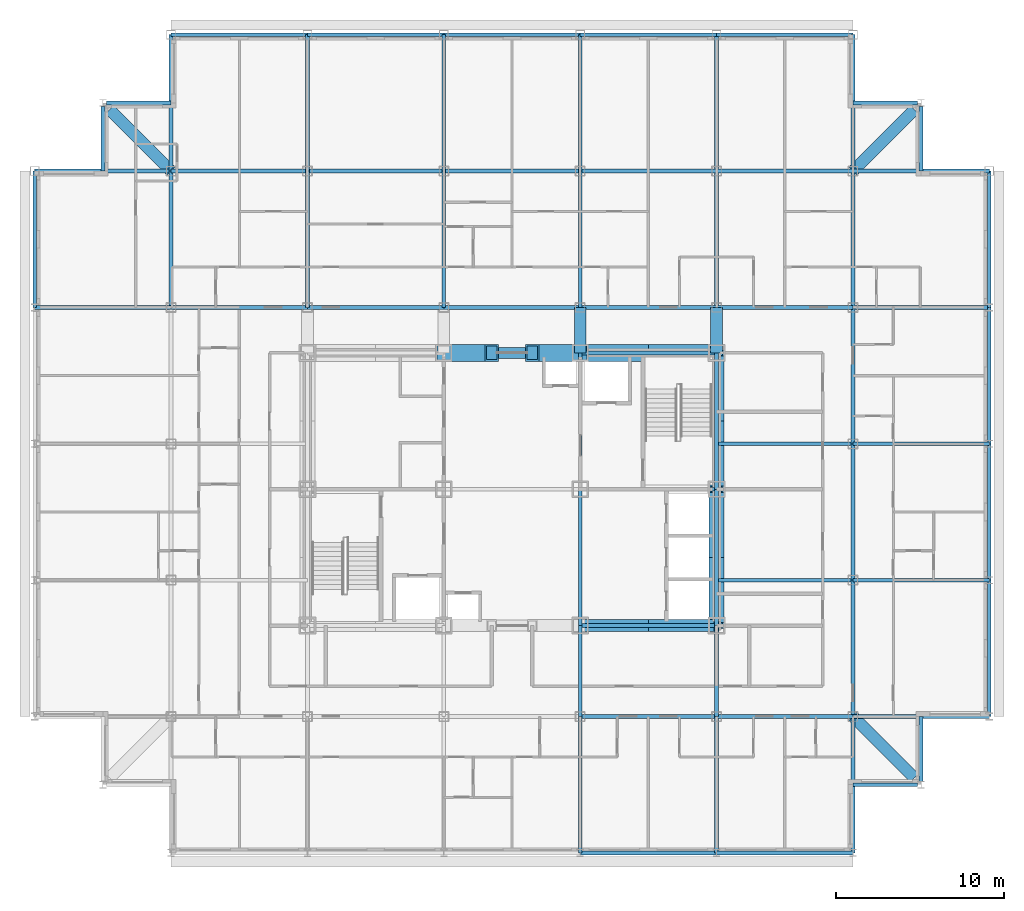
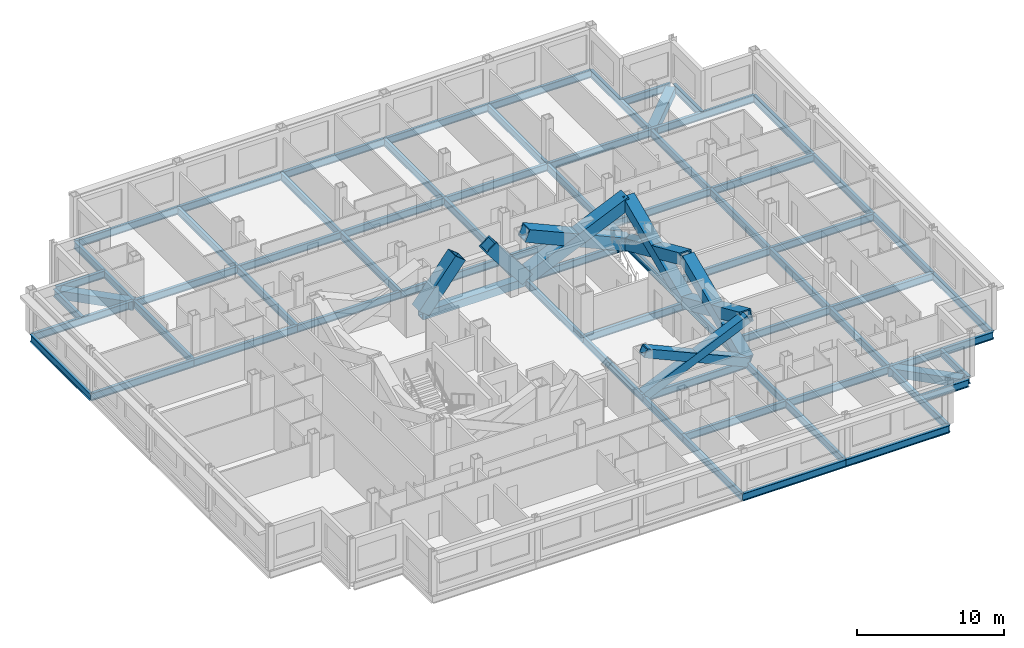
# One storey, part 2 of 12: 72 beams, 10 members.
"""IFC4 building model written with IfcOpenShell, lengths in metres."""

from ifc_helpers import new_model, si_unit, direction, frame, origin, origin_2d, place, context, subcontext, project, spatial, hollow_rectangle, i_section, extrude, material, material_profile, profile_set, type_object, element, save


model = new_model("IFC4")

# Units and contexts
model_context = context("Model", 3, precision=1e-05, world=origin(), true_north=direction((0.0, 1.0)))
body_context = subcontext(model_context, "Body", "Model", "MODEL_VIEW")
ifc_project = project(units=[si_unit("LENGTHUNIT", "METRE"), si_unit("AREAUNIT", "SQUARE_METRE"), si_unit("VOLUMEUNIT", "CUBIC_METRE"), si_unit("PLANEANGLEUNIT", "RADIAN"), si_unit("MASSUNIT", "GRAM", prefix="KILO")], contexts=[model_context])

# Site, building, storey
site_placement = place(None, origin())
site = spatial("IfcSite", under=ifc_project, at=site_placement, CompositionType="ELEMENT")
building_placement = place(site_placement, origin())
building = spatial("IfcBuilding", under=site, at=building_placement, Name="Kopane Lantern Tower", CompositionType="ELEMENT")
storey_placement = place(building_placement, frame((0.0, 0.0, 213.60009765625)))
storey = spatial("IfcBuildingStorey", under=building, at=storey_placement, Name="L55", CompositionType="ELEMENT", Elevation=213.60009765625)

# Members
ifc_material_1 = material(Name="Steel S355JR", Category="steel")
ifc_material_profile_1 = material_profile(ifc_material_1, hollow_rectangle(XDim=1.0, YDim=1.0, WallThickness=0.10009765625, at=origin_2d()), Name="BOX 1000x1000x100")
ifc_profile_set_1 = profile_set([ifc_material_profile_1], Name="Steel S355JR")
member_type_1 = type_object("IfcMemberType", Name="BRACE BOX 1000x1000x100", PredefinedType="BRACE", material=ifc_profile_set_1)
for number, where, z_axis, x_axis, name in (
    (1, (24.300048828125, 40.5, -0.210205078125), (0.620672981644, 0.0, 0.784069544018), (0.0, 1.0, 0.0), "Core brace L55"),
    (2, (32.39990234375, 40.5, -0.210205078125), (-0.620672981644, 0.0, 0.784069544018), (0.0, -1.0, 0.0), "Core brace L55"),
):
    element("IfcMember", number, at=place(storey_placement, frame(where, z_axis=z_axis, x_axis=x_axis)), inside=storey, type_object=member_type_1, Name=name, PredefinedType="BRACE", context=body_context, shape_type="SweptSolid", body=[
        extrude(hollow_rectangle(XDim=1.0, YDim=1.0, WallThickness=0.10009765625, at=origin_2d()), origin(), (0.0, 0.0, 1.0), 4.591552734375),
    ])
for number, where, z_axis, x_axis, name in (
    (3, (32.39990234375, 40.5, -0.210205078125), (0.913809277049, 0.0, 0.40614357705), (0.0, 1.0, 0.0), "Core brace L55"),
    (4, (40.5, 40.5, -0.210205078125), (-0.913809277049, 0.0, 0.40614357705), (0.0, -1.0, 0.0), "Core brace L55"),
):
    element("IfcMember", number, at=place(storey_placement, frame(where, z_axis=z_axis, x_axis=x_axis)), inside=storey, type_object=member_type_1, Name=name, PredefinedType="BRACE", context=body_context, shape_type="SweptSolid", body=[
        extrude(hollow_rectangle(XDim=1.0, YDim=1.0, WallThickness=0.10009765625, at=origin_2d()), origin(), (0.0, 0.0, 1.0), 8.864013671875),
    ])
ifc_material_2 = material(Name="Steel S355JR", Category="steel")
ifc_material_profile_2 = material_profile(ifc_material_2, hollow_rectangle(XDim=0.699951171875, YDim=0.699951171875, WallThickness=0.06005859375, at=origin_2d()), Name="BOX 700x700x60")
ifc_profile_set_2 = profile_set([ifc_material_profile_2], Name="Steel S355JR")
member_type_2 = type_object("IfcMemberType", Name="BRACE BOX 700x700x60", PredefinedType="BRACE", material=ifc_profile_set_2)
for number, where, z_axis, x_axis, name in (
    (5, (32.39990234375, 24.300048828125, -0.210205078125), (0.913809277049, 0.0, 0.40614357705), (0.0, 1.0, 0.0), "Core brace L55"),
    (6, (40.5, 24.300048828125, -0.210205078125), (-0.913809277049, 0.0, 0.40614357705), (0.0, -1.0, 0.0), "Core brace L55"),
):
    element("IfcMember", number, at=place(storey_placement, frame(where, z_axis=z_axis, x_axis=x_axis)), inside=storey, type_object=member_type_2, Name=name, PredefinedType="BRACE", context=body_context, shape_type="SweptSolid", body=[
        extrude(hollow_rectangle(XDim=0.699951171875, YDim=0.699951171875, WallThickness=0.06005859375, at=origin_2d()), origin(), (0.0, 0.0, 1.0), 8.864013671875),
    ])
ifc_material_3 = material(Name="Steel S355JR", Category="steel")
ifc_material_profile_3 = material_profile(ifc_material_3, hollow_rectangle(XDim=0.89990234375, YDim=0.89990234375, WallThickness=0.090087890625, at=origin_2d()), Name="BOX 900x900x90")
ifc_profile_set_3 = profile_set([ifc_material_profile_3], Name="Steel S355JR")
member_type_3 = type_object("IfcMemberType", Name="BRACE BOX 900x900x90", PredefinedType="BRACE", material=ifc_profile_set_3)
for number, where, z_axis, x_axis, name in (
    (7, (40.5, 24.300048828125, -0.210205078125), (0.0, 0.91380473365, 0.406153799391), (-1.0, 0.0, 0.0), "Core brace L55"),
    (8, (40.5, 32.39990234375, -0.210205078125), (0.0, -0.91380473365, 0.406153799391), (1.0, 0.0, 0.0), "Core brace L55"),
):
    element("IfcMember", number, at=place(storey_placement, frame(where, z_axis=z_axis, x_axis=x_axis)), inside=storey, type_object=member_type_3, Name=name, PredefinedType="BRACE", context=body_context, shape_type="SweptSolid", body=[
        extrude(hollow_rectangle(XDim=0.89990234375, YDim=0.89990234375, WallThickness=0.090087890625, at=origin_2d()), origin(), (0.0, 0.0, 1.0), 8.86376953125),
    ])
for number, where, z_axis, x_axis, name in (
    (9, (40.5, 32.39990234375, -0.210205078125), (0.0, 0.913809277049, 0.40614357705), (-1.0, 0.0, 0.0), "Core brace L55"),
    (10, (40.5, 40.5, -0.210205078125), (0.0, -0.913809277049, 0.40614357705), (1.0, 0.0, 0.0), "Core brace L55"),
):
    element("IfcMember", number, at=place(storey_placement, frame(where, z_axis=z_axis, x_axis=x_axis)), inside=storey, type_object=member_type_3, Name=name, PredefinedType="BRACE", context=body_context, shape_type="SweptSolid", body=[
        extrude(hollow_rectangle(XDim=0.89990234375, YDim=0.89990234375, WallThickness=0.090087890625, at=origin_2d()), origin(), (0.0, 0.0, 1.0), 8.864013671875),
    ])

# Beams
ifc_material_4 = material(Name="Steel S355JR", Category="steel")
ifc_material_profile_4 = material_profile(ifc_material_4, i_section(OverallWidth=0.22900390625, OverallDepth=0.6123046875, WebThickness=0.011962890625, FlangeThickness=0.01953125, FilletRadius=0.0126953125, at=origin_2d()), Name="UB 610x229x125")
ifc_profile_set_4 = profile_set([ifc_material_profile_4], Name="Steel S355JR")
beam_type_1 = type_object("IfcBeamType", Name="CORE BEAM UB 610x229x125", PredefinedType="BEAM", material=ifc_profile_set_4)
beam_1_placement = place(storey_placement, frame((32.39990234375, 24.300048828125, -0.51611328125), z_axis=(0.0, 1.0, 0.0), x_axis=(-1.0, 0.0, 0.0)))
element("IfcBeam", 11, at=beam_1_placement, inside=storey, type_object=beam_type_1, Name="Core Beam L55", PredefinedType="BEAM", context=body_context, shape_type="SweptSolid", body=[
    extrude(i_section(OverallWidth=0.22900390625, OverallDepth=0.6123046875, WebThickness=0.011962890625, FlangeThickness=0.01953125, FilletRadius=0.0126953125, at=origin_2d()), origin(), (0.0, 0.0, 1.0), 8.099853515625),
])
for number, where, z_axis, x_axis, name in (
    (12, (32.39990234375, 32.39990234375, -0.51611328125), (0.0, 1.0, 0.0), (-1.0, 0.0, 0.0), "Core Beam L55"),
    (13, (32.39990234375, 32.39990234375, -0.51611328125), (1.0, 0.0, 0.0), (0.0, 1.0, 0.0), "Core Beam L55"),
):
    element("IfcBeam", number, at=place(storey_placement, frame(where, z_axis=z_axis, x_axis=x_axis)), inside=storey, type_object=beam_type_1, Name=name, PredefinedType="BEAM", context=body_context, shape_type="SweptSolid", body=[
        extrude(i_section(OverallWidth=0.22900390625, OverallDepth=0.6123046875, WebThickness=0.011962890625, FlangeThickness=0.01953125, FilletRadius=0.0126953125, at=origin_2d()), origin(), (0.0, 0.0, 1.0), 8.10009765625),
    ])
ifc_material_5 = material(Name="Steel S355JR", Category="steel")
ifc_material_profile_5 = material_profile(ifc_material_5, hollow_rectangle(XDim=0.699951171875, YDim=0.699951171875, WallThickness=0.06005859375, at=origin_2d()), Name="BOX 700x700x60")
ifc_profile_set_5 = profile_set([ifc_material_profile_5], Name="Steel S355JR")
beam_type_2 = type_object("IfcBeamType", Name="CORNER TIE BEAM BOX 700x700x60", PredefinedType="BEAM", material=ifc_profile_set_5)
for number, where, z_axis, x_axis, name in (
    (14, (4.447509765625, 54.952392578125, -0.56005859375), (0.70713041325, -0.707083148333, 0.0), (0.707083148333, 0.70713041325, 0.0), "Corner Tie Beam L55"),
    (15, (52.25244140625, 15.24755859375, -0.56005859375), (-0.707106781187, 0.707106781187, 0.0), (-0.707106781187, -0.707106781187, 0.0), "Corner Tie Beam L55"),
    (16, (52.25244140625, 54.952392578125, -0.56005859375), (-0.707106781187, -0.707106781187, 0.0), (0.707106781187, -0.707106781187, 0.0), "Corner Tie Beam L55"),
):
    element("IfcBeam", number, at=place(storey_placement, frame(where, z_axis=z_axis, x_axis=x_axis)), inside=storey, type_object=beam_type_2, Name=name, PredefinedType="BEAM", context=body_context, shape_type="SweptSolid", body=[
        extrude(hollow_rectangle(XDim=0.699951171875, YDim=0.699951171875, WallThickness=0.06005859375, at=origin_2d()), origin(), (0.0, 0.0, 1.0), 5.165283203125),
    ])
ifc_material_6 = material(Name="Steel S355JR", Category="steel")
ifc_material_profile_6 = material_profile(ifc_material_6, i_section(OverallWidth=0.22900390625, OverallDepth=0.6123046875, WebThickness=0.011962890625, FlangeThickness=0.01953125, FilletRadius=0.0126953125, at=origin_2d()), Name="UB 610x229x125")
ifc_profile_set_6 = profile_set([ifc_material_profile_6], Name="Steel S355JR")
beam_type_3 = type_object("IfcBeamType", Name="EDGE BEAM UB 610x229x125", PredefinedType="BEAM", material=ifc_profile_set_6)
beam_2_placement = place(storey_placement, frame((4.050048828125, 55.146484375, -0.51611328125), z_axis=(0.0, -1.0, 0.0), x_axis=(1.0, 0.0, 0.0)))
element("IfcBeam", 17, at=beam_2_placement, inside=storey, type_object=beam_type_3, Name="Edge Beam L55", PredefinedType="BEAM", context=body_context, shape_type="SweptSolid", body=[
    extrude(i_section(OverallWidth=0.22900390625, OverallDepth=0.6123046875, WebThickness=0.011962890625, FlangeThickness=0.01953125, FilletRadius=0.0126953125, at=origin_2d()), origin(), (0.0, 0.0, 1.0), 3.846435546875),
])
beam_3_placement = place(storey_placement, frame((4.25341796875, 55.35009765625, -0.51611328125), z_axis=(1.0, 0.0, 0.0), x_axis=(0.0, 1.0, 0.0)))
element("IfcBeam", 18, at=beam_3_placement, inside=storey, type_object=beam_type_3, Name="Edge Beam L55", PredefinedType="BEAM", context=body_context, shape_type="SweptSolid", body=[
    extrude(i_section(OverallWidth=0.22900390625, OverallDepth=0.6123046875, WebThickness=0.011962890625, FlangeThickness=0.01953125, FilletRadius=0.0126953125, at=origin_2d()), origin(), (0.0, 0.0, 1.0), 3.8466796875),
])
for number, where, z_axis, x_axis, name in (
    (19, (52.446533203125, 14.85009765625, -0.51611328125), (-1.0, 0.0, 0.0), (0.0, -1.0, 0.0), "Edge Beam L55"),
    (20, (52.446533203125, 55.35009765625, -0.51611328125), (-1.0, 0.0, 0.0), (0.0, -1.0, 0.0), "Edge Beam L55"),
    (21, (52.64990234375, 15.053466796875, -0.51611328125), (0.0, 1.0, 0.0), (-1.0, 0.0, 0.0), "Edge Beam L55"),
    (22, (52.64990234375, 55.146484375, -0.51611328125), (0.0, -1.0, 0.0), (1.0, 0.0, 0.0), "Edge Beam L55"),
):
    element("IfcBeam", number, at=place(storey_placement, frame(where, z_axis=z_axis, x_axis=x_axis)), inside=storey, type_object=beam_type_3, Name=name, PredefinedType="BEAM", context=body_context, shape_type="SweptSolid", body=[
        extrude(i_section(OverallWidth=0.22900390625, OverallDepth=0.6123046875, WebThickness=0.011962890625, FlangeThickness=0.01953125, FilletRadius=0.0126953125, at=origin_2d()), origin(), (0.0, 0.0, 1.0), 3.846435546875),
    ])
ifc_material_7 = material(Name="Steel S355JR", Category="steel")
ifc_material_profile_7 = material_profile(ifc_material_7, hollow_rectangle(XDim=0.699951171875, YDim=0.699951171875, WallThickness=0.06005859375, at=origin_2d()), Name="BOX 700x700x60")
ifc_profile_set_7 = profile_set([ifc_material_profile_7], Name="Steel S355JR")
beam_type_4 = type_object("IfcBeamType", Name="GIRDER BOX 700x700x60", PredefinedType="BEAM", material=ifc_profile_set_7)
for number, where, z_axis, x_axis, name in (
    (23, (32.39990234375, 40.5, -0.56005859375), (0.0, 1.0, 0.0), (-1.0, 0.0, 0.0), "Girder L55"),
    (24, (40.5, 40.5, -0.56005859375), (0.0, 1.0, 0.0), (-1.0, 0.0, 0.0), "Girder L55"),
):
    element("IfcBeam", number, at=place(storey_placement, frame(where, z_axis=z_axis, x_axis=x_axis)), inside=storey, type_object=beam_type_4, Name=name, PredefinedType="BEAM", context=body_context, shape_type="SweptSolid", body=[
        extrude(hollow_rectangle(XDim=0.699951171875, YDim=0.699951171875, WallThickness=0.06005859375, at=origin_2d()), origin(), (0.0, 0.0, 1.0), 2.699951171875),
    ])
ifc_material_8 = material(Name="Steel S355JR", Category="steel")
ifc_material_profile_8 = material_profile(ifc_material_8, i_section(OverallWidth=0.22900390625, OverallDepth=0.6123046875, WebThickness=0.011962890625, FlangeThickness=0.01953125, FilletRadius=0.0126953125, at=origin_2d()), Name="UB 610x229x125")
ifc_profile_set_8 = profile_set([ifc_material_profile_8], Name="Steel S355JR")
beam_type_5 = type_object("IfcBeamType", Name="GIRDER UB 610x229x125", PredefinedType="BEAM", material=ifc_profile_set_8)
for number, where, z_axis, x_axis, name in (
    (25, (0.0, 43.199951171875, -0.51611328125), (0.0, 1.0, 0.0), (-1.0, 0.0, 0.0), "Girder L55"),
    (26, (0.0, 43.199951171875, -0.51611328125), (1.0, 0.0, 0.0), (0.0, 1.0, 0.0), "Girder L55"),
    (27, (0.0, 51.300048828125, -0.51611328125), (1.0, 0.0, 0.0), (0.0, 1.0, 0.0), "Girder L55"),
    (28, (8.10009765625, 43.199951171875, -0.51611328125), (0.0, 1.0, 0.0), (-1.0, 0.0, 0.0), "Girder L55"),
):
    element("IfcBeam", number, at=place(storey_placement, frame(where, z_axis=z_axis, x_axis=x_axis)), inside=storey, type_object=beam_type_5, Name=name, PredefinedType="BEAM", context=body_context, shape_type="SweptSolid", body=[
        extrude(i_section(OverallWidth=0.22900390625, OverallDepth=0.6123046875, WebThickness=0.011962890625, FlangeThickness=0.01953125, FilletRadius=0.0126953125, at=origin_2d()), origin(), (0.0, 0.0, 1.0), 8.10009765625),
    ])
for number, where, z_axis, x_axis, name in (
    (29, (8.10009765625, 43.199951171875, -0.51611328125), (1.0, 0.0, 0.0), (0.0, 1.0, 0.0), "Girder L55"),
    (30, (8.10009765625, 51.300048828125, -0.51611328125), (0.0, 1.0, 0.0), (-1.0, 0.0, 0.0), "Girder L55"),
    (31, (8.10009765625, 51.300048828125, -0.51611328125), (1.0, 0.0, 0.0), (0.0, 1.0, 0.0), "Girder L55"),
    (32, (8.10009765625, 59.39990234375, -0.51611328125), (1.0, 0.0, 0.0), (0.0, 1.0, 0.0), "Girder L55"),
):
    element("IfcBeam", number, at=place(storey_placement, frame(where, z_axis=z_axis, x_axis=x_axis)), inside=storey, type_object=beam_type_5, Name=name, PredefinedType="BEAM", context=body_context, shape_type="SweptSolid", body=[
        extrude(i_section(OverallWidth=0.22900390625, OverallDepth=0.6123046875, WebThickness=0.011962890625, FlangeThickness=0.01953125, FilletRadius=0.0126953125, at=origin_2d()), origin(), (0.0, 0.0, 1.0), 8.099853515625),
    ])
for number, where, z_axis, x_axis, name in (
    (33, (16.199951171875, 43.199951171875, -0.51611328125), (0.0, 1.0, 0.0), (-1.0, 0.0, 0.0), "Girder L55"),
    (34, (16.199951171875, 43.199951171875, -0.51611328125), (1.0, 0.0, 0.0), (0.0, 1.0, 0.0), "Girder L55"),
):
    element("IfcBeam", number, at=place(storey_placement, frame(where, z_axis=z_axis, x_axis=x_axis)), inside=storey, type_object=beam_type_5, Name=name, PredefinedType="BEAM", context=body_context, shape_type="SweptSolid", body=[
        extrude(i_section(OverallWidth=0.22900390625, OverallDepth=0.6123046875, WebThickness=0.011962890625, FlangeThickness=0.01953125, FilletRadius=0.0126953125, at=origin_2d()), origin(), (0.0, 0.0, 1.0), 8.10009765625),
    ])
beam_4_placement = place(storey_placement, frame((16.199951171875, 51.300048828125, -0.51611328125), z_axis=(0.0, 1.0, 0.0), x_axis=(-1.0, 0.0, 0.0)))
element("IfcBeam", 35, at=beam_4_placement, inside=storey, type_object=beam_type_5, Name="Girder L55", PredefinedType="BEAM", context=body_context, shape_type="SweptSolid", body=[
    extrude(i_section(OverallWidth=0.22900390625, OverallDepth=0.6123046875, WebThickness=0.011962890625, FlangeThickness=0.01953125, FilletRadius=0.0126953125, at=origin_2d()), origin(), (0.0, 0.0, 1.0), 8.099853515625),
])
for number, where, z_axis, x_axis, name in (
    (36, (16.199951171875, 51.300048828125, -0.51611328125), (1.0, 0.0, 0.0), (0.0, 1.0, 0.0), "Girder L55"),
    (37, (16.199951171875, 59.39990234375, -0.51611328125), (1.0, 0.0, 0.0), (0.0, 1.0, 0.0), "Girder L55"),
    (38, (24.300048828125, 43.199951171875, -0.51611328125), (0.0, 1.0, 0.0), (-1.0, 0.0, 0.0), "Girder L55"),
):
    element("IfcBeam", number, at=place(storey_placement, frame(where, z_axis=z_axis, x_axis=x_axis)), inside=storey, type_object=beam_type_5, Name=name, PredefinedType="BEAM", context=body_context, shape_type="SweptSolid", body=[
        extrude(i_section(OverallWidth=0.22900390625, OverallDepth=0.6123046875, WebThickness=0.011962890625, FlangeThickness=0.01953125, FilletRadius=0.0126953125, at=origin_2d()), origin(), (0.0, 0.0, 1.0), 8.10009765625),
    ])
for number, where, z_axis, x_axis, name in (
    (39, (24.300048828125, 43.199951171875, -0.51611328125), (1.0, 0.0, 0.0), (0.0, 1.0, 0.0), "Girder L55"),
    (40, (24.300048828125, 51.300048828125, -0.51611328125), (0.0, 1.0, 0.0), (-1.0, 0.0, 0.0), "Girder L55"),
    (41, (24.300048828125, 51.300048828125, -0.51611328125), (1.0, 0.0, 0.0), (0.0, 1.0, 0.0), "Girder L55"),
    (42, (24.300048828125, 59.39990234375, -0.51611328125), (1.0, 0.0, 0.0), (0.0, 1.0, 0.0), "Girder L55"),
    (43, (32.39990234375, 10.800048828125, -0.51611328125), (0.0, 1.0, 0.0), (-1.0, 0.0, 0.0), "Girder L55"),
):
    element("IfcBeam", number, at=place(storey_placement, frame(where, z_axis=z_axis, x_axis=x_axis)), inside=storey, type_object=beam_type_5, Name=name, PredefinedType="BEAM", context=body_context, shape_type="SweptSolid", body=[
        extrude(i_section(OverallWidth=0.22900390625, OverallDepth=0.6123046875, WebThickness=0.011962890625, FlangeThickness=0.01953125, FilletRadius=0.0126953125, at=origin_2d()), origin(), (0.0, 0.0, 1.0), 8.099853515625),
    ])
beam_5_placement = place(storey_placement, frame((32.39990234375, 10.800048828125, -0.51611328125), z_axis=(1.0, 0.0, 0.0), x_axis=(0.0, 1.0, 0.0)))
element("IfcBeam", 44, at=beam_5_placement, inside=storey, type_object=beam_type_5, Name="Girder L55", PredefinedType="BEAM", context=body_context, shape_type="SweptSolid", body=[
    extrude(i_section(OverallWidth=0.22900390625, OverallDepth=0.6123046875, WebThickness=0.011962890625, FlangeThickness=0.01953125, FilletRadius=0.0126953125, at=origin_2d()), origin(), (0.0, 0.0, 1.0), 8.10009765625),
])
beam_6_placement = place(storey_placement, frame((32.39990234375, 18.89990234375, -0.51611328125), z_axis=(0.0, 1.0, 0.0), x_axis=(-1.0, 0.0, 0.0)))
element("IfcBeam", 45, at=beam_6_placement, inside=storey, type_object=beam_type_5, Name="Girder L55", PredefinedType="BEAM", context=body_context, shape_type="SweptSolid", body=[
    extrude(i_section(OverallWidth=0.22900390625, OverallDepth=0.6123046875, WebThickness=0.011962890625, FlangeThickness=0.01953125, FilletRadius=0.0126953125, at=origin_2d()), origin(), (0.0, 0.0, 1.0), 5.400146484375),
])
for number, where, z_axis, x_axis, name in (
    (46, (32.39990234375, 18.89990234375, -0.51611328125), (1.0, 0.0, 0.0), (0.0, 1.0, 0.0), "Girder L55"),
    (47, (32.39990234375, 24.300048828125, -0.51611328125), (1.0, 0.0, 0.0), (0.0, 1.0, 0.0), "Girder L55"),
    (48, (32.39990234375, 40.5, -0.51611328125), (1.0, 0.0, 0.0), (0.0, 1.0, 0.0), "Girder L55"),
    (49, (32.39990234375, 43.199951171875, -0.51611328125), (0.0, 1.0, 0.0), (-1.0, 0.0, 0.0), "Girder L55"),
    (50, (32.39990234375, 43.199951171875, -0.51611328125), (1.0, 0.0, 0.0), (0.0, 1.0, 0.0), "Girder L55"),
):
    element("IfcBeam", number, at=place(storey_placement, frame(where, z_axis=z_axis, x_axis=x_axis)), inside=storey, type_object=beam_type_5, Name=name, PredefinedType="BEAM", context=body_context, shape_type="SweptSolid", body=[
        extrude(i_section(OverallWidth=0.22900390625, OverallDepth=0.6123046875, WebThickness=0.011962890625, FlangeThickness=0.01953125, FilletRadius=0.0126953125, at=origin_2d()), origin(), (0.0, 0.0, 1.0), 8.10009765625),
    ])
beam_7_placement = place(storey_placement, frame((32.39990234375, 51.300048828125, -0.51611328125), z_axis=(0.0, 1.0, 0.0), x_axis=(-1.0, 0.0, 0.0)))
element("IfcBeam", 51, at=beam_7_placement, inside=storey, type_object=beam_type_5, Name="Girder L55", PredefinedType="BEAM", context=body_context, shape_type="SweptSolid", body=[
    extrude(i_section(OverallWidth=0.22900390625, OverallDepth=0.6123046875, WebThickness=0.011962890625, FlangeThickness=0.01953125, FilletRadius=0.0126953125, at=origin_2d()), origin(), (0.0, 0.0, 1.0), 8.099853515625),
])
for number, where, z_axis, x_axis, name in (
    (52, (32.39990234375, 51.300048828125, -0.51611328125), (1.0, 0.0, 0.0), (0.0, 1.0, 0.0), "Girder L55"),
    (53, (32.39990234375, 59.39990234375, -0.51611328125), (1.0, 0.0, 0.0), (0.0, 1.0, 0.0), "Girder L55"),
):
    element("IfcBeam", number, at=place(storey_placement, frame(where, z_axis=z_axis, x_axis=x_axis)), inside=storey, type_object=beam_type_5, Name=name, PredefinedType="BEAM", context=body_context, shape_type="SweptSolid", body=[
        extrude(i_section(OverallWidth=0.22900390625, OverallDepth=0.6123046875, WebThickness=0.011962890625, FlangeThickness=0.01953125, FilletRadius=0.0126953125, at=origin_2d()), origin(), (0.0, 0.0, 1.0), 8.10009765625),
    ])
beam_8_placement = place(storey_placement, frame((40.5, 10.800048828125, -0.51611328125), z_axis=(0.0, 1.0, 0.0), x_axis=(-1.0, 0.0, 0.0)))
element("IfcBeam", 54, at=beam_8_placement, inside=storey, type_object=beam_type_5, Name="Girder L55", PredefinedType="BEAM", context=body_context, shape_type="SweptSolid", body=[
    extrude(i_section(OverallWidth=0.22900390625, OverallDepth=0.6123046875, WebThickness=0.011962890625, FlangeThickness=0.01953125, FilletRadius=0.0126953125, at=origin_2d()), origin(), (0.0, 0.0, 1.0), 8.099853515625),
])
beam_9_placement = place(storey_placement, frame((40.5, 10.800048828125, -0.51611328125), z_axis=(1.0, 0.0, 0.0), x_axis=(0.0, 1.0, 0.0)))
element("IfcBeam", 55, at=beam_9_placement, inside=storey, type_object=beam_type_5, Name="Girder L55", PredefinedType="BEAM", context=body_context, shape_type="SweptSolid", body=[
    extrude(i_section(OverallWidth=0.22900390625, OverallDepth=0.6123046875, WebThickness=0.011962890625, FlangeThickness=0.01953125, FilletRadius=0.0126953125, at=origin_2d()), origin(), (0.0, 0.0, 1.0), 8.10009765625),
])
beam_10_placement = place(storey_placement, frame((40.5, 18.89990234375, -0.51611328125), z_axis=(0.0, 1.0, 0.0), x_axis=(-1.0, 0.0, 0.0)))
element("IfcBeam", 56, at=beam_10_placement, inside=storey, type_object=beam_type_5, Name="Girder L55", PredefinedType="BEAM", context=body_context, shape_type="SweptSolid", body=[
    extrude(i_section(OverallWidth=0.22900390625, OverallDepth=0.6123046875, WebThickness=0.011962890625, FlangeThickness=0.01953125, FilletRadius=0.0126953125, at=origin_2d()), origin(), (0.0, 0.0, 1.0), 5.400146484375),
])
beam_11_placement = place(storey_placement, frame((40.5, 18.89990234375, -0.51611328125), z_axis=(1.0, 0.0, 0.0), x_axis=(0.0, 1.0, 0.0)))
element("IfcBeam", 57, at=beam_11_placement, inside=storey, type_object=beam_type_5, Name="Girder L55", PredefinedType="BEAM", context=body_context, shape_type="SweptSolid", body=[
    extrude(i_section(OverallWidth=0.22900390625, OverallDepth=0.6123046875, WebThickness=0.011962890625, FlangeThickness=0.01953125, FilletRadius=0.0126953125, at=origin_2d()), origin(), (0.0, 0.0, 1.0), 8.10009765625),
])
beam_12_placement = place(storey_placement, frame((40.5, 24.300048828125, -0.51611328125), z_axis=(0.0, 1.0, 0.0), x_axis=(-1.0, 0.0, 0.0)))
element("IfcBeam", 58, at=beam_12_placement, inside=storey, type_object=beam_type_5, Name="Girder L55", PredefinedType="BEAM", context=body_context, shape_type="SweptSolid", body=[
    extrude(i_section(OverallWidth=0.22900390625, OverallDepth=0.6123046875, WebThickness=0.011962890625, FlangeThickness=0.01953125, FilletRadius=0.0126953125, at=origin_2d()), origin(), (0.0, 0.0, 1.0), 8.099853515625),
])
for number, where, z_axis, x_axis, name in (
    (59, (40.5, 27.0, -0.51611328125), (1.0, 0.0, 0.0), (0.0, 1.0, 0.0), "Girder L55"),
    (60, (40.5, 32.39990234375, -0.51611328125), (0.0, 1.0, 0.0), (-1.0, 0.0, 0.0), "Girder L55"),
    (61, (40.5, 35.10009765625, -0.51611328125), (1.0, 0.0, 0.0), (0.0, 1.0, 0.0), "Girder L55"),
    (62, (40.5, 43.199951171875, -0.51611328125), (0.0, 1.0, 0.0), (-1.0, 0.0, 0.0), "Girder L55"),
    (63, (40.5, 43.199951171875, -0.51611328125), (1.0, 0.0, 0.0), (0.0, 1.0, 0.0), "Girder L55"),
):
    element("IfcBeam", number, at=place(storey_placement, frame(where, z_axis=z_axis, x_axis=x_axis)), inside=storey, type_object=beam_type_5, Name=name, PredefinedType="BEAM", context=body_context, shape_type="SweptSolid", body=[
        extrude(i_section(OverallWidth=0.22900390625, OverallDepth=0.6123046875, WebThickness=0.011962890625, FlangeThickness=0.01953125, FilletRadius=0.0126953125, at=origin_2d()), origin(), (0.0, 0.0, 1.0), 8.10009765625),
    ])
beam_13_placement = place(storey_placement, frame((40.5, 51.300048828125, -0.51611328125), z_axis=(0.0, 1.0, 0.0), x_axis=(-1.0, 0.0, 0.0)))
element("IfcBeam", 64, at=beam_13_placement, inside=storey, type_object=beam_type_5, Name="Girder L55", PredefinedType="BEAM", context=body_context, shape_type="SweptSolid", body=[
    extrude(i_section(OverallWidth=0.22900390625, OverallDepth=0.6123046875, WebThickness=0.011962890625, FlangeThickness=0.01953125, FilletRadius=0.0126953125, at=origin_2d()), origin(), (0.0, 0.0, 1.0), 8.099853515625),
])
for number, where, z_axis, x_axis, name in (
    (65, (40.5, 51.300048828125, -0.51611328125), (1.0, 0.0, 0.0), (0.0, 1.0, 0.0), "Girder L55"),
    (66, (40.5, 59.39990234375, -0.51611328125), (1.0, 0.0, 0.0), (0.0, 1.0, 0.0), "Girder L55"),
):
    element("IfcBeam", number, at=place(storey_placement, frame(where, z_axis=z_axis, x_axis=x_axis)), inside=storey, type_object=beam_type_5, Name=name, PredefinedType="BEAM", context=body_context, shape_type="SweptSolid", body=[
        extrude(i_section(OverallWidth=0.22900390625, OverallDepth=0.6123046875, WebThickness=0.011962890625, FlangeThickness=0.01953125, FilletRadius=0.0126953125, at=origin_2d()), origin(), (0.0, 0.0, 1.0), 8.10009765625),
    ])
beam_14_placement = place(storey_placement, frame((48.60009765625, 10.800048828125, -0.51611328125), z_axis=(0.0, 1.0, 0.0), x_axis=(-1.0, 0.0, 0.0)))
element("IfcBeam", 67, at=beam_14_placement, inside=storey, type_object=beam_type_5, Name="Girder L55", PredefinedType="BEAM", context=body_context, shape_type="SweptSolid", body=[
    extrude(i_section(OverallWidth=0.22900390625, OverallDepth=0.6123046875, WebThickness=0.011962890625, FlangeThickness=0.01953125, FilletRadius=0.0126953125, at=origin_2d()), origin(), (0.0, 0.0, 1.0), 8.099853515625),
])
beam_15_placement = place(storey_placement, frame((48.60009765625, 18.89990234375, -0.51611328125), z_axis=(0.0, 1.0, 0.0), x_axis=(-1.0, 0.0, 0.0)))
element("IfcBeam", 68, at=beam_15_placement, inside=storey, type_object=beam_type_5, Name="Girder L55", PredefinedType="BEAM", context=body_context, shape_type="SweptSolid", body=[
    extrude(i_section(OverallWidth=0.22900390625, OverallDepth=0.6123046875, WebThickness=0.011962890625, FlangeThickness=0.01953125, FilletRadius=0.0126953125, at=origin_2d()), origin(), (0.0, 0.0, 1.0), 8.10009765625),
])
beam_16_placement = place(storey_placement, frame((48.60009765625, 18.89990234375, -0.51611328125), z_axis=(1.0, 0.0, 0.0), x_axis=(0.0, 1.0, 0.0)))
element("IfcBeam", 69, at=beam_16_placement, inside=storey, type_object=beam_type_5, Name="Girder L55", PredefinedType="BEAM", context=body_context, shape_type="SweptSolid", body=[
    extrude(i_section(OverallWidth=0.22900390625, OverallDepth=0.6123046875, WebThickness=0.011962890625, FlangeThickness=0.01953125, FilletRadius=0.0126953125, at=origin_2d()), origin(), (0.0, 0.0, 1.0), 8.099853515625),
])
beam_17_placement = place(storey_placement, frame((48.60009765625, 27.0, -0.51611328125), z_axis=(0.0, 1.0, 0.0), x_axis=(-1.0, 0.0, 0.0)))
element("IfcBeam", 70, at=beam_17_placement, inside=storey, type_object=beam_type_5, Name="Girder L55", PredefinedType="BEAM", context=body_context, shape_type="SweptSolid", body=[
    extrude(i_section(OverallWidth=0.22900390625, OverallDepth=0.6123046875, WebThickness=0.011962890625, FlangeThickness=0.01953125, FilletRadius=0.0126953125, at=origin_2d()), origin(), (0.0, 0.0, 1.0), 8.10009765625),
])
for number, where, z_axis, x_axis, name in (
    (71, (48.60009765625, 27.0, -0.51611328125), (1.0, 0.0, 0.0), (0.0, 1.0, 0.0), "Girder L55"),
    (72, (48.60009765625, 35.10009765625, -0.51611328125), (0.0, 1.0, 0.0), (-1.0, 0.0, 0.0), "Girder L55"),
    (73, (48.60009765625, 35.10009765625, -0.51611328125), (1.0, 0.0, 0.0), (0.0, 1.0, 0.0), "Girder L55"),
):
    element("IfcBeam", number, at=place(storey_placement, frame(where, z_axis=z_axis, x_axis=x_axis)), inside=storey, type_object=beam_type_5, Name=name, PredefinedType="BEAM", context=body_context, shape_type="SweptSolid", body=[
        extrude(i_section(OverallWidth=0.22900390625, OverallDepth=0.6123046875, WebThickness=0.011962890625, FlangeThickness=0.01953125, FilletRadius=0.0126953125, at=origin_2d()), origin(), (0.0, 0.0, 1.0), 8.099853515625),
    ])
beam_18_placement = place(storey_placement, frame((48.60009765625, 43.199951171875, -0.51611328125), z_axis=(0.0, 1.0, 0.0), x_axis=(-1.0, 0.0, 0.0)))
element("IfcBeam", 74, at=beam_18_placement, inside=storey, type_object=beam_type_5, Name="Girder L55", PredefinedType="BEAM", context=body_context, shape_type="SweptSolid", body=[
    extrude(i_section(OverallWidth=0.22900390625, OverallDepth=0.6123046875, WebThickness=0.011962890625, FlangeThickness=0.01953125, FilletRadius=0.0126953125, at=origin_2d()), origin(), (0.0, 0.0, 1.0), 8.10009765625),
])
for number, where, z_axis, x_axis, name in (
    (75, (48.60009765625, 43.199951171875, -0.51611328125), (1.0, 0.0, 0.0), (0.0, 1.0, 0.0), "Girder L55"),
    (76, (48.60009765625, 51.300048828125, -0.51611328125), (0.0, 1.0, 0.0), (-1.0, 0.0, 0.0), "Girder L55"),
    (77, (48.60009765625, 51.300048828125, -0.51611328125), (1.0, 0.0, 0.0), (0.0, 1.0, 0.0), "Girder L55"),
):
    element("IfcBeam", number, at=place(storey_placement, frame(where, z_axis=z_axis, x_axis=x_axis)), inside=storey, type_object=beam_type_5, Name=name, PredefinedType="BEAM", context=body_context, shape_type="SweptSolid", body=[
        extrude(i_section(OverallWidth=0.22900390625, OverallDepth=0.6123046875, WebThickness=0.011962890625, FlangeThickness=0.01953125, FilletRadius=0.0126953125, at=origin_2d()), origin(), (0.0, 0.0, 1.0), 8.099853515625),
    ])
for number, where, z_axis, x_axis, name in (
    (78, (56.699951171875, 18.89990234375, -0.51611328125), (0.0, 1.0, 0.0), (-1.0, 0.0, 0.0), "Girder L55"),
    (79, (56.699951171875, 27.0, -0.51611328125), (0.0, 1.0, 0.0), (-1.0, 0.0, 0.0), "Girder L55"),
):
    element("IfcBeam", number, at=place(storey_placement, frame(where, z_axis=z_axis, x_axis=x_axis)), inside=storey, type_object=beam_type_5, Name=name, PredefinedType="BEAM", context=body_context, shape_type="SweptSolid", body=[
        extrude(i_section(OverallWidth=0.22900390625, OverallDepth=0.6123046875, WebThickness=0.011962890625, FlangeThickness=0.01953125, FilletRadius=0.0126953125, at=origin_2d()), origin(), (0.0, 0.0, 1.0), 8.10009765625),
    ])
beam_19_placement = place(storey_placement, frame((56.699951171875, 35.10009765625, -0.51611328125), z_axis=(0.0, 1.0, 0.0), x_axis=(-1.0, 0.0, 0.0)))
element("IfcBeam", 80, at=beam_19_placement, inside=storey, type_object=beam_type_5, Name="Girder L55", PredefinedType="BEAM", context=body_context, shape_type="SweptSolid", body=[
    extrude(i_section(OverallWidth=0.22900390625, OverallDepth=0.6123046875, WebThickness=0.011962890625, FlangeThickness=0.01953125, FilletRadius=0.0126953125, at=origin_2d()), origin(), (0.0, 0.0, 1.0), 8.099853515625),
])
beam_20_placement = place(storey_placement, frame((56.699951171875, 43.199951171875, -0.51611328125), z_axis=(0.0, 1.0, 0.0), x_axis=(-1.0, 0.0, 0.0)))
element("IfcBeam", 81, at=beam_20_placement, inside=storey, type_object=beam_type_5, Name="Girder L55", PredefinedType="BEAM", context=body_context, shape_type="SweptSolid", body=[
    extrude(i_section(OverallWidth=0.22900390625, OverallDepth=0.6123046875, WebThickness=0.011962890625, FlangeThickness=0.01953125, FilletRadius=0.0126953125, at=origin_2d()), origin(), (0.0, 0.0, 1.0), 8.10009765625),
])
ifc_material_9 = material(Name="Steel S355JR", Category="steel")
ifc_material_profile_9 = material_profile(ifc_material_9, hollow_rectangle(XDim=0.64990234375, YDim=0.64990234375, WallThickness=0.070068359375, at=origin_2d()), Name="BOX 650x650x70")
ifc_profile_set_9 = profile_set([ifc_material_profile_9], Name="Steel S355JR")
beam_type_6 = type_object("IfcBeamType", Name="LINK BEAM BOX 650x650x70", PredefinedType="BEAM", material=ifc_profile_set_9)
beam_21_placement = place(storey_placement, frame((24.300048828125, 40.5, -0.53515625), z_axis=(1.0, 0.0, 0.0), x_axis=(0.0, 1.0, 0.0)))
element("IfcBeam", 82, at=beam_21_placement, inside=storey, type_object=beam_type_6, Name="Link Beam L55", PredefinedType="BEAM", context=body_context, shape_type="SweptSolid", body=[
    extrude(hollow_rectangle(XDim=0.64990234375, YDim=0.64990234375, WallThickness=0.070068359375, at=origin_2d()), origin(), (0.0, 0.0, 1.0), 8.099853515625),
])

save(model, "model.ifc")
